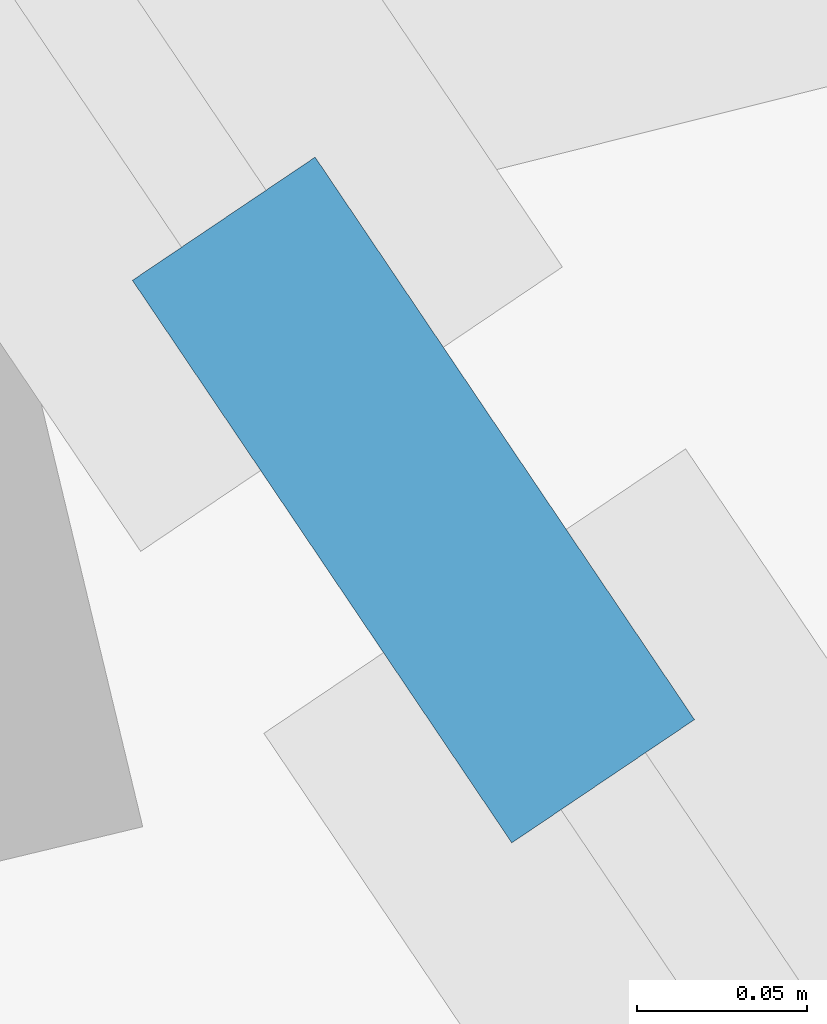
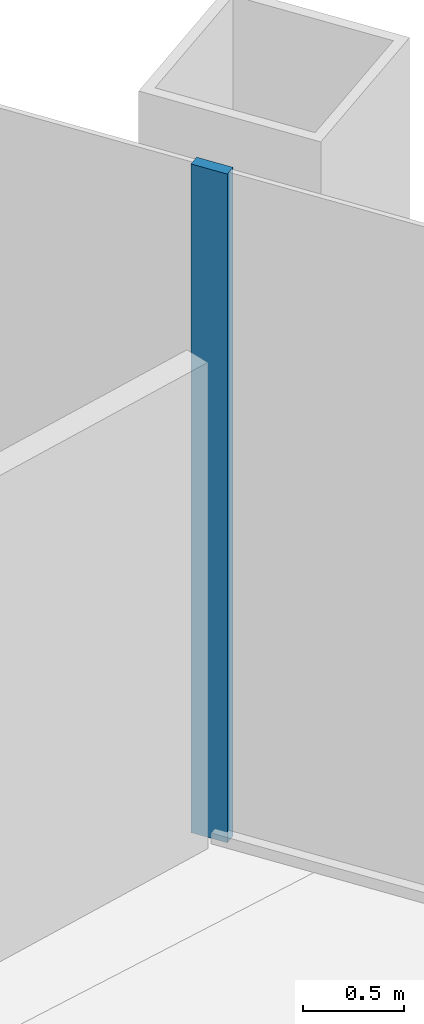
# One storey, part 5 of 13: 1 member, 1 element without a shape of its own.
"""IFC4 building model written with IfcOpenShell, lengths in metres."""

import ifcopenshell
import ifcopenshell.guid

model = None  # the IFC model being written
_history = None  # IfcOwnerHistory: only IFC2X3 demands one
_inside = {}  # id of a spatial element -> (the spatial element, [elements in it])
_under = {}  # id of a project, library or spatial element -> (it, [spatial elements below it])
_declared = {}  # id of a project -> (the project, [libraries it declares])
_typed = {}  # id of a type object -> (the type object, [elements of that type])
_made_of = {}  # id of a material, layer set ... -> (it, [elements and type objects made of it])


def new_model(schema):
    """Start an empty IFC model of exactly this schema.

    Asked for "IFC4X3", IfcOpenShell would pick the latest addendum, in which some entities
    have other attributes; the version numbers below select the first issue.
    IFC2X3 requires an IfcOwnerHistory on every rooted entity: one is made here for all.
    """
    global model, _history
    if schema == "IFC4X3":
        model = ifcopenshell.file(schema_version=(4, 3, 0, 0))
    else:
        model = ifcopenshell.file(schema=schema)
    _inside.clear()
    _under.clear()
    _declared.clear()
    _typed.clear()
    _made_of.clear()
    _history = None
    if model.schema == "IFC2X3":
        org = make("IfcOrganization", Name="unknown")
        user = make(
            "IfcPersonAndOrganization",
            ThePerson=make("IfcPerson", FamilyName="unknown"),
            TheOrganization=org,
        )
        app = make(
            "IfcApplication",
            ApplicationDeveloper=org,
            Version="unknown",
            ApplicationFullName="unknown",
            ApplicationIdentifier="unknown",
        )
        _history = make(
            "IfcOwnerHistory",
            OwningUser=user,
            OwningApplication=app,
            ChangeAction="ADDED",
            CreationDate=0,
        )
    return model


def make(cls, **values):
    """One entity of the class cls with the attributes given. An attribute that is None is left unset."""
    return model.create_entity(
        cls, **{name: value for name, value in values.items() if value is not None}
    )


def rooted(cls, **values):
    """An entity with a GlobalId (a new one), such as an element, a storey or a relation."""
    return make(cls, GlobalId=ifcopenshell.guid.new(), OwnerHistory=_history, **values)


def si_unit(unit_type, name, prefix=None):
    """IfcSIUnit, for example si_unit("LENGTHUNIT", "METRE", prefix="MILLI")."""
    return make("IfcSIUnit", UnitType=unit_type, Prefix=prefix, Name=name)


def assignment(units):
    """IfcUnitAssignment: the units of a project."""
    return None if units is None else make("IfcUnitAssignment", Units=units)


def point(xyz):
    """IfcCartesianPoint."""
    return None if xyz is None else make("IfcCartesianPoint", Coordinates=xyz)


def direction(xyz):
    """IfcDirection."""
    return None if xyz is None else make("IfcDirection", DirectionRatios=xyz)


def frame(location, z_axis=None, x_axis=None):
    """IfcAxis2Placement3D, a coordinate frame: its origin and axes. An axis left out is left unset."""
    return make(
        "IfcAxis2Placement3D",
        Location=point(location),
        Axis=direction(z_axis),
        RefDirection=direction(x_axis),
    )


def frame_2d(location, x_axis=None):
    """IfcAxis2Placement2D, a coordinate frame in the plane: its origin and x axis."""
    return make(
        "IfcAxis2Placement2D", Location=point(location), RefDirection=direction(x_axis)
    )


def origin():
    """The frame at (0, 0, 0) with its axes left unset."""
    return frame((0.0, 0.0, 0.0))


def origin_2d():
    """The frame at (0, 0) in the plane with its x axis left unset."""
    return frame_2d((0.0, 0.0))


def place(relative_to, where):
    """IfcLocalPlacement: puts the frame where relative to a parent placement (None: the world)."""
    return make(
        "IfcLocalPlacement", PlacementRelTo=relative_to, RelativePlacement=where
    )


def context(
    kind, dimensions, precision=None, world=None, true_north=None, identifier=None
):
    """IfcGeometricRepresentationContext, for example the 3D "Model" context."""
    return make(
        "IfcGeometricRepresentationContext",
        ContextIdentifier=identifier,
        ContextType=kind,
        CoordinateSpaceDimension=dimensions,
        Precision=precision,
        WorldCoordinateSystem=world,
        TrueNorth=true_north,
    )


def subcontext(parent, identifier, kind, view, scale=None):
    """IfcGeometricRepresentationSubContext, for example "Body" below "Model"."""
    return make(
        "IfcGeometricRepresentationSubContext",
        ContextIdentifier=identifier,
        ContextType=kind,
        ParentContext=parent,
        TargetScale=scale,
        TargetView=view,
    )


def project(units=None, contexts=None):
    """IfcProject with its units and contexts."""
    return rooted(
        "IfcProject",
        Name="project",
        RepresentationContexts=contexts,
        UnitsInContext=assignment(units),
    )


def spatial(cls, under=None, at=None, **own):
    """A site, building, storey or space (cls), placed at a placement, below another one or the project."""
    s = rooted(cls, ObjectPlacement=at, **own)
    if under is not None:
        _under.setdefault(under.id(), (under, []))[1].append(s)
    return s


def profile(cls, at=None, kind="AREA", **sizes):
    """A parametric profile (cls). Its sizes go by their IFC names, for example OverallWidth=200.0."""
    return make(cls, ProfileType=kind, Position=at, **sizes)


def rectangle(**sizes):
    """IfcRectangleProfileDef."""
    return profile("IfcRectangleProfileDef", **sizes)


def extrude(swept, where, along, depth):
    """IfcExtrudedAreaSolid: the profile swept, set in the frame where, extruded along a direction by depth."""
    return make(
        "IfcExtrudedAreaSolid",
        SweptArea=swept,
        Position=where,
        ExtrudedDirection=direction(along),
        Depth=depth,
    )


def shape(context_of_items, identifier, shape_type, items):
    """IfcShapeRepresentation: the items that make up one representation, for example the "Body"."""
    return make(
        "IfcShapeRepresentation",
        ContextOfItems=context_of_items,
        RepresentationIdentifier=identifier,
        RepresentationType=shape_type,
        Items=items,
    )


def material(Name=None, Category=None):
    """IfcMaterial."""
    return make("IfcMaterial", Name=Name, Category=Category)


def material_profile(
    of_material, cross_section, Name=None, Category=None, Priority=None
):
    """IfcMaterialProfile: a cross section and its material."""
    return make(
        "IfcMaterialProfile",
        Name=Name,
        Material=of_material,
        Profile=cross_section,
        Priority=Priority,
        Category=Category,
    )


def profile_set(profiles, Name=None, composite=None):
    """IfcMaterialProfileSet."""
    return make(
        "IfcMaterialProfileSet",
        Name=Name,
        MaterialProfiles=profiles,
        CompositeProfile=composite,
    )


def made_of(thing, what):
    """Note that an element or type object is made of a material, layer set ...; save() writes the relation."""
    if what is not None:
        _made_of.setdefault(what.id(), (what, []))[1].append(thing)
    return thing


def type_object(cls, material=None, **own):
    """A type object (cls), such as IfcWallType, which elements share."""
    return made_of(rooted(cls, **own), material)


def element(
    cls,
    number,
    at=None,
    inside=None,
    cuts=None,
    type_object=None,
    material=None,
    context=None,
    identifier="Body",
    shape_type=None,
    held_by="IfcProductDefinitionShape",
    body=None,
    shapes=None,
    **own,
):
    """One element of the class cls, such as IfcWall. Its Tag is "e" and its number.

    at: its placement. inside: the storey or other place that contains it. cuts: it is an
    opening in that element (IfcRelVoidsElement). A single representation is given by context,
    identifier, shape_type and body (its items); several are given by shapes. held_by: the class
    of the entity that holds the representations. save() writes the other relations.
    """
    e = rooted(cls, Tag="e%d" % number, ObjectPlacement=at, **own)
    if body is not None:
        shapes = [shape(context, identifier, shape_type, body)]
    if shapes is not None:
        e.Representation = make(held_by, Representations=shapes)
    if inside is not None:
        _inside.setdefault(inside.id(), (inside, []))[1].append(e)
    if cuts is not None:
        rooted(
            "IfcRelVoidsElement", RelatingBuildingElement=cuts, RelatedOpeningElement=e
        )
    if type_object is not None:
        _typed.setdefault(type_object.id(), (type_object, []))[1].append(e)
    return made_of(e, material)


def aggregate(whole, parts):
    """IfcRelAggregates: a whole, such as a stair, and the parts it consists of."""
    return rooted("IfcRelAggregates", RelatingObject=whole, RelatedObjects=parts)


def save(model, path):
    """Write the relations noted so far, then the file.

    IfcRelAggregates (storeys below a building ...), IfcRelContainedInSpatialStructure (elements
    in a storey), IfcRelDefinesByType, IfcRelAssociatesMaterial and IfcRelDeclares: one each for
    every whole, place, type object, material and project.
    """
    for whole, parts in _under.values():
        aggregate(whole, parts)
    for where, things in _inside.values():
        rooted(
            "IfcRelContainedInSpatialStructure",
            RelatedElements=things,
            RelatingStructure=where,
        )
    for kind, things in _typed.values():
        rooted("IfcRelDefinesByType", RelatedObjects=things, RelatingType=kind)
    for what, things in _made_of.values():
        rooted("IfcRelAssociatesMaterial", RelatedObjects=things, RelatingMaterial=what)
    for by, libraries in _declared.values():
        rooted("IfcRelDeclares", RelatingContext=by, RelatedDefinitions=libraries)
    model.write(path)


model = new_model("IFC4")

# Units and contexts
model_context = context("Model", 3, precision=1e-05, world=origin(), true_north=direction((0.0, 1.0)))
body_context = subcontext(model_context, "Body", "Model", "MODEL_VIEW")
ifc_project = project(units=[si_unit("LENGTHUNIT", "METRE"), si_unit("AREAUNIT", "SQUARE_METRE"), si_unit("VOLUMEUNIT", "CUBIC_METRE"), si_unit("PLANEANGLEUNIT", "RADIAN"), si_unit("MASSUNIT", "GRAM", prefix="KILO")], contexts=[model_context])

# Site, building, storey
site_placement = place(None, origin())
site = spatial("IfcSite", under=ifc_project, at=site_placement, CompositionType="ELEMENT")
building_placement = place(site_placement, origin())
building = spatial("IfcBuilding", under=site, at=building_placement, Name="Qingtian Harvest Tower", CompositionType="ELEMENT")
storey_placement = place(building_placement, frame((0.0, 0.0, 247.60009765625)))
storey = spatial("IfcBuildingStorey", under=building, at=storey_placement, Name="L54", CompositionType="ELEMENT", Elevation=247.60009765625)

# Curtain wall, member
ifc_material_1 = material(Name="Bronze-anodised aluminium curtain wall", Category="aluminium")
curtain_wall_type = type_object("IfcCurtainWallType", Name="Curtain wall CW4 office", PredefinedType="USERDEFINED", material=ifc_material_1)
curtain_wall_placement = place(storey_placement, origin())
curtain_wall = element("IfcCurtainWall", 1, at=curtain_wall_placement, inside=storey, type_object=curtain_wall_type, Name="Curtain wall CW4 L54 NE0-5", ObjectType="RECESSED CURTAIN WALL", PredefinedType="USERDEFINED")
ifc_material_2 = material(Name="Bronze-anodised aluminium mullion", Category="aluminium")
ifc_material_profile = material_profile(ifc_material_2, rectangle(XDim=0.06494140625, YDim=0.199951171875, at=origin_2d()), Name="AL 65x200")
ifc_profile_set = profile_set([ifc_material_profile], Name="Bronze-anodised aluminium mullion")
member_type = type_object("IfcMemberType", Name="Mullion CWM 65x200", PredefinedType="MULLION", material=ifc_profile_set)
member_placement = place(storey_placement, frame((23.150390625, 5.55712890625, 0.0), z_axis=(0.0, 0.0, 1.0), x_axis=(0.829037572555, 0.559192903471, 0.0)))
member = element("IfcMember", 2, at=member_placement, type_object=member_type, Name="CW4 mullion 6", PredefinedType="MULLION", context=body_context, shape_type="SweptSolid", body=[
    extrude(rectangle(XDim=0.06494140625, YDim=0.199951171875, at=origin_2d()), origin(), (0.0, 0.0, 1.0), 4.02978515625),
])
aggregate(curtain_wall, [member])

save(model, "model.ifc")
